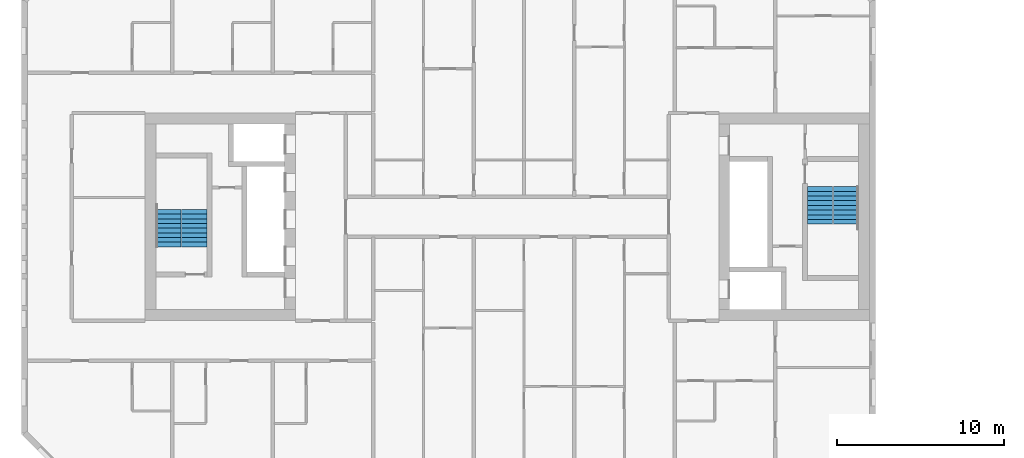
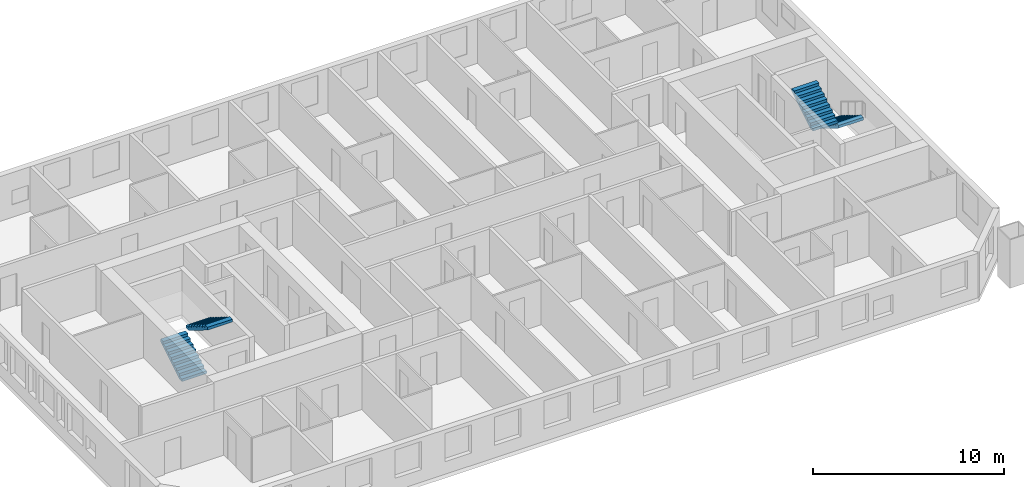
# One storey, part 16 of 17: 4 stair flights, 2 elements without a shape of their own.
"""IFC4 building model written with IfcOpenShell, lengths in metres."""

from ifc_helpers import new_model, si_unit, direction, frame, origin, place, context, subcontext, project, spatial, faceted_brep, material, type_object, element, aggregate, save


model = new_model("IFC4")

# Units and contexts
model_context = context("Model", 3, precision=1e-05, world=origin(), true_north=direction((0.0, 1.0)))
body_context = subcontext(model_context, "Body", "Model", "MODEL_VIEW")
ifc_project = project(units=[si_unit("LENGTHUNIT", "METRE"), si_unit("AREAUNIT", "SQUARE_METRE"), si_unit("VOLUMEUNIT", "CUBIC_METRE"), si_unit("PLANEANGLEUNIT", "RADIAN"), si_unit("MASSUNIT", "GRAM", prefix="KILO")], contexts=[model_context])

# Site, building, storey
site_placement = place(None, origin())
site = spatial("IfcSite", under=ifc_project, at=site_placement, CompositionType="ELEMENT")
building_placement = place(site_placement, origin())
building = spatial("IfcBuilding", under=site, at=building_placement, Name="Tuart Gate Housing", CompositionType="ELEMENT")
storey_placement = place(building_placement, frame((0.0, 0.0, 99.5)))
storey = spatial("IfcBuildingStorey", under=building, at=storey_placement, Name="L27", CompositionType="ELEMENT", Elevation=99.5)

# Stair, stair flights
ifc_material_1 = material(Name="Concrete C40", Category="concrete")
stair_type = type_object("IfcStairType", Name="Core stair 1500", PredefinedType="HALF_TURN_STAIR", material=ifc_material_1)
stair_1_placement = place(storey_placement, origin())
stair_1 = element("IfcStair", 1, at=stair_1_placement, inside=storey, type_object=stair_type, Name="Stair SA1", PredefinedType="HALF_TURN_STAIR")
ifc_material_2 = material(Name="Concrete C40", Category="concrete")
stair_flight_type = type_object("IfcStairFlightType", Name="Stair flight 1500, 9 risers 172 x 280", PredefinedType="STRAIGHT", material=ifc_material_2)
stair_flight_1_placement = place(storey_placement, frame((74.239990234375, 71.800048828125, 0.0), z_axis=(0.0, 0.0, 1.0), x_axis=(0.0, -1.0, 0.0)))
stair_flight_1 = element("IfcStairFlight", 2, at=stair_flight_1_placement, type_object=stair_flight_type, Name="SA1 flight 1", NumberOfRisers=9, NumberOfTreads=8, PredefinedType="STRAIGHT", RiserHeight=0.172222222, TreadLength=0.28, context=body_context, shape_type="Brep", body=[
    faceted_brep([(0.0, 0.75, 0.0), (0.0, 0.75, 0.172119140625), (0.280029296875, 0.75, 0.172119140625), (0.280029296875, 0.75, 0.344482421875), (0.56005859375, 0.75, 0.344482421875), (0.56005859375, 0.75, 0.5166015625), (0.840087890625, 0.75, 0.5166015625), (0.840087890625, 0.75, 0.68896484375), (1.1201171875, 0.75, 0.68896484375), (1.1201171875, 0.75, 0.861083984375), (1.39990234375, 0.75, 0.861083984375), (1.39990234375, 0.75, 1.033447265625), (1.679931640625, 0.75, 1.033447265625), (1.679931640625, 0.75, 1.20556640625), (1.9599609375, 0.75, 1.20556640625), (1.9599609375, 0.75, 1.377685546875), (2.239990234375, 0.75, 1.377685546875), (2.239990234375, 0.75, 1.201904296875), (0.2861328125, 0.75, 0.0), (0.2861328125, -0.75, 0.0), (2.239990234375, -0.75, 1.201904296875), (2.239990234375, -0.75, 1.377685546875), (1.9599609375, -0.75, 1.377685546875), (1.9599609375, -0.75, 1.20556640625), (1.679931640625, -0.75, 1.20556640625), (1.679931640625, -0.75, 1.033447265625), (1.39990234375, -0.75, 1.033447265625), (1.39990234375, -0.75, 0.861083984375), (1.1201171875, -0.75, 0.861083984375), (1.1201171875, -0.75, 0.68896484375), (0.840087890625, -0.75, 0.68896484375), (0.840087890625, -0.75, 0.5166015625), (0.56005859375, -0.75, 0.5166015625), (0.56005859375, -0.75, 0.344482421875), (0.280029296875, -0.75, 0.344482421875), (0.280029296875, -0.75, 0.172119140625), (0.0, -0.75, 0.172119140625), (0.0, -0.75, 0.0), (2.239990234375, 0.0, 1.201904296875), (0.2861328125, 0.0, 0.0), (2.239990234375, 0.0, 1.377685546875), (1.9599609375, 0.0, 1.377685546875), (1.9599609375, 0.0, 1.20556640625), (1.679931640625, 0.0, 1.20556640625), (1.679931640625, 0.0, 1.033447265625), (1.39990234375, 0.0, 1.033447265625), (1.39990234375, 0.0, 0.861083984375), (1.1201171875, 0.0, 0.861083984375), (1.1201171875, 0.0, 0.68896484375), (0.840087890625, 0.0, 0.68896484375), (0.840087890625, 0.0, 0.5166015625), (0.56005859375, 0.0, 0.5166015625), (0.56005859375, 0.0, 0.344482421875), (0.280029296875, 0.0, 0.344482421875), (0.280029296875, 0.0, 0.172119140625), (0.0, 0.0, 0.172119140625), (0.0, 0.0, 0.0)], [[[0, 1, 2, 3, 4, 5, 6, 7, 8, 9, 10, 11, 12, 13, 14, 15, 16, 17, 18]], [[19, 20, 21, 22, 23, 24, 25, 26, 27, 28, 29, 30, 31, 32, 33, 34, 35, 36, 37]], [[18, 17, 38, 39]], [[39, 38, 20, 19]], [[17, 16, 40, 38]], [[38, 40, 21, 20]], [[16, 15, 41, 40]], [[40, 41, 22, 21]], [[15, 14, 42, 41]], [[41, 42, 23, 22]], [[14, 13, 43, 42]], [[42, 43, 24, 23]], [[13, 12, 44, 43]], [[43, 44, 25, 24]], [[12, 11, 45, 44]], [[44, 45, 26, 25]], [[11, 10, 46, 45]], [[45, 46, 27, 26]], [[10, 9, 47, 46]], [[46, 47, 28, 27]], [[9, 8, 48, 47]], [[47, 48, 29, 28]], [[8, 7, 49, 48]], [[48, 49, 30, 29]], [[7, 6, 50, 49]], [[49, 50, 31, 30]], [[6, 5, 51, 50]], [[50, 51, 32, 31]], [[5, 4, 52, 51]], [[51, 52, 33, 32]], [[4, 3, 53, 52]], [[52, 53, 34, 33]], [[3, 2, 54, 53]], [[53, 54, 35, 34]], [[2, 1, 55, 54]], [[54, 55, 36, 35]], [[1, 0, 56, 55]], [[55, 56, 37, 36]], [[0, 18, 39, 56]], [[56, 39, 19, 37]]]),
])
stair_flight_2_placement = place(storey_placement, frame((72.68994140625, 69.56005859375, 1.550048828125), z_axis=(0.0, 0.0, 1.0), x_axis=(0.0, 1.0, 0.0)))
stair_flight_2 = element("IfcStairFlight", 3, at=stair_flight_2_placement, type_object=stair_flight_type, Name="SA1 flight 2", NumberOfRisers=9, NumberOfTreads=8, PredefinedType="STRAIGHT", RiserHeight=0.172222222, TreadLength=0.28, context=body_context, shape_type="Brep", body=[
    faceted_brep([(0.0, 0.75, 0.0), (0.0, 0.75, 0.172119140625), (0.280029296875, 0.75, 0.172119140625), (0.280029296875, 0.75, 0.344482421875), (0.56005859375, 0.75, 0.344482421875), (0.56005859375, 0.75, 0.5166015625), (0.840087890625, 0.75, 0.5166015625), (0.840087890625, 0.75, 0.68896484375), (1.1201171875, 0.75, 0.68896484375), (1.1201171875, 0.75, 0.861083984375), (1.39990234375, 0.75, 0.861083984375), (1.39990234375, 0.75, 1.033447265625), (1.679931640625, 0.75, 1.033447265625), (1.679931640625, 0.75, 1.20556640625), (1.9599609375, 0.75, 1.20556640625), (1.9599609375, 0.75, 1.377685546875), (2.239990234375, 0.75, 1.377685546875), (2.239990234375, 0.75, 1.201904296875), (0.2861328125, 0.75, 0.0), (0.2861328125, -0.75, 0.0), (2.239990234375, -0.75, 1.201904296875), (2.239990234375, -0.75, 1.377685546875), (1.9599609375, -0.75, 1.377685546875), (1.9599609375, -0.75, 1.20556640625), (1.679931640625, -0.75, 1.20556640625), (1.679931640625, -0.75, 1.033447265625), (1.39990234375, -0.75, 1.033447265625), (1.39990234375, -0.75, 0.861083984375), (1.1201171875, -0.75, 0.861083984375), (1.1201171875, -0.75, 0.68896484375), (0.840087890625, -0.75, 0.68896484375), (0.840087890625, -0.75, 0.5166015625), (0.56005859375, -0.75, 0.5166015625), (0.56005859375, -0.75, 0.344482421875), (0.280029296875, -0.75, 0.344482421875), (0.280029296875, -0.75, 0.172119140625), (0.0, -0.75, 0.172119140625), (0.0, -0.75, 0.0), (2.239990234375, 0.0, 1.201904296875), (0.2861328125, 0.0, 0.0), (2.239990234375, 0.0, 1.377685546875), (1.9599609375, 0.0, 1.377685546875), (1.9599609375, 0.0, 1.20556640625), (1.679931640625, 0.0, 1.20556640625), (1.679931640625, 0.0, 1.033447265625), (1.39990234375, 0.0, 1.033447265625), (1.39990234375, 0.0, 0.861083984375), (1.1201171875, 0.0, 0.861083984375), (1.1201171875, 0.0, 0.68896484375), (0.840087890625, 0.0, 0.68896484375), (0.840087890625, 0.0, 0.5166015625), (0.56005859375, 0.0, 0.5166015625), (0.56005859375, 0.0, 0.344482421875), (0.280029296875, 0.0, 0.344482421875), (0.280029296875, 0.0, 0.172119140625), (0.0, 0.0, 0.172119140625), (0.0, 0.0, 0.0)], [[[0, 1, 2, 3, 4, 5, 6, 7, 8, 9, 10, 11, 12, 13, 14, 15, 16, 17, 18]], [[19, 20, 21, 22, 23, 24, 25, 26, 27, 28, 29, 30, 31, 32, 33, 34, 35, 36, 37]], [[18, 17, 38, 39]], [[39, 38, 20, 19]], [[17, 16, 40, 38]], [[38, 40, 21, 20]], [[16, 15, 41, 40]], [[40, 41, 22, 21]], [[15, 14, 42, 41]], [[41, 42, 23, 22]], [[14, 13, 43, 42]], [[42, 43, 24, 23]], [[13, 12, 44, 43]], [[43, 44, 25, 24]], [[12, 11, 45, 44]], [[44, 45, 26, 25]], [[11, 10, 46, 45]], [[45, 46, 27, 26]], [[10, 9, 47, 46]], [[46, 47, 28, 27]], [[9, 8, 48, 47]], [[47, 48, 29, 28]], [[8, 7, 49, 48]], [[48, 49, 30, 29]], [[7, 6, 50, 49]], [[49, 50, 31, 30]], [[6, 5, 51, 50]], [[50, 51, 32, 31]], [[5, 4, 52, 51]], [[51, 52, 33, 32]], [[4, 3, 53, 52]], [[52, 53, 34, 33]], [[3, 2, 54, 53]], [[53, 54, 35, 34]], [[2, 1, 55, 54]], [[54, 55, 36, 35]], [[1, 0, 56, 55]], [[55, 56, 37, 36]], [[0, 18, 39, 56]], [[56, 39, 19, 37]]]),
])
aggregate(stair_1, [stair_flight_1, stair_flight_2])

stair_2_placement = place(storey_placement, origin())
stair_2 = element("IfcStair", 4, at=stair_2_placement, inside=storey, type_object=stair_type, Name="Stair SA2", PredefinedType="HALF_TURN_STAIR")
stair_flight_3_placement = place(storey_placement, frame((33.760009765625, 68.199951171875, 0.0), z_axis=(0.0, 0.0, 1.0), x_axis=(0.0, 1.0, 0.0)))
stair_flight_3 = element("IfcStairFlight", 5, at=stair_flight_3_placement, type_object=stair_flight_type, Name="SA2 flight 1", NumberOfRisers=9, NumberOfTreads=8, PredefinedType="STRAIGHT", RiserHeight=0.172222222, TreadLength=0.28, context=body_context, shape_type="Brep", body=[
    faceted_brep([(0.0, 0.75, 0.0), (0.0, 0.75, 0.172119140625), (0.280029296875, 0.75, 0.172119140625), (0.280029296875, 0.75, 0.344482421875), (0.56005859375, 0.75, 0.344482421875), (0.56005859375, 0.75, 0.5166015625), (0.840087890625, 0.75, 0.5166015625), (0.840087890625, 0.75, 0.68896484375), (1.1201171875, 0.75, 0.68896484375), (1.1201171875, 0.75, 0.861083984375), (1.39990234375, 0.75, 0.861083984375), (1.39990234375, 0.75, 1.033447265625), (1.679931640625, 0.75, 1.033447265625), (1.679931640625, 0.75, 1.20556640625), (1.9599609375, 0.75, 1.20556640625), (1.9599609375, 0.75, 1.377685546875), (2.239990234375, 0.75, 1.377685546875), (2.239990234375, 0.75, 1.201904296875), (0.2861328125, 0.75, 0.0), (0.2861328125, -0.75, 0.0), (2.239990234375, -0.75, 1.201904296875), (2.239990234375, -0.75, 1.377685546875), (1.9599609375, -0.75, 1.377685546875), (1.9599609375, -0.75, 1.20556640625), (1.679931640625, -0.75, 1.20556640625), (1.679931640625, -0.75, 1.033447265625), (1.39990234375, -0.75, 1.033447265625), (1.39990234375, -0.75, 0.861083984375), (1.1201171875, -0.75, 0.861083984375), (1.1201171875, -0.75, 0.68896484375), (0.840087890625, -0.75, 0.68896484375), (0.840087890625, -0.75, 0.5166015625), (0.56005859375, -0.75, 0.5166015625), (0.56005859375, -0.75, 0.344482421875), (0.280029296875, -0.75, 0.344482421875), (0.280029296875, -0.75, 0.172119140625), (0.0, -0.75, 0.172119140625), (0.0, -0.75, 0.0), (2.239990234375, 0.0, 1.201904296875), (0.2861328125, 0.0, 0.0), (2.239990234375, 0.0, 1.377685546875), (1.9599609375, 0.0, 1.377685546875), (1.9599609375, 0.0, 1.20556640625), (1.679931640625, 0.0, 1.20556640625), (1.679931640625, 0.0, 1.033447265625), (1.39990234375, 0.0, 1.033447265625), (1.39990234375, 0.0, 0.861083984375), (1.1201171875, 0.0, 0.861083984375), (1.1201171875, 0.0, 0.68896484375), (0.840087890625, 0.0, 0.68896484375), (0.840087890625, 0.0, 0.5166015625), (0.56005859375, 0.0, 0.5166015625), (0.56005859375, 0.0, 0.344482421875), (0.280029296875, 0.0, 0.344482421875), (0.280029296875, 0.0, 0.172119140625), (0.0, 0.0, 0.172119140625), (0.0, 0.0, 0.0)], [[[0, 1, 2, 3, 4, 5, 6, 7, 8, 9, 10, 11, 12, 13, 14, 15, 16, 17, 18]], [[19, 20, 21, 22, 23, 24, 25, 26, 27, 28, 29, 30, 31, 32, 33, 34, 35, 36, 37]], [[18, 17, 38, 39]], [[39, 38, 20, 19]], [[17, 16, 40, 38]], [[38, 40, 21, 20]], [[16, 15, 41, 40]], [[40, 41, 22, 21]], [[15, 14, 42, 41]], [[41, 42, 23, 22]], [[14, 13, 43, 42]], [[42, 43, 24, 23]], [[13, 12, 44, 43]], [[43, 44, 25, 24]], [[12, 11, 45, 44]], [[44, 45, 26, 25]], [[11, 10, 46, 45]], [[45, 46, 27, 26]], [[10, 9, 47, 46]], [[46, 47, 28, 27]], [[9, 8, 48, 47]], [[47, 48, 29, 28]], [[8, 7, 49, 48]], [[48, 49, 30, 29]], [[7, 6, 50, 49]], [[49, 50, 31, 30]], [[6, 5, 51, 50]], [[50, 51, 32, 31]], [[5, 4, 52, 51]], [[51, 52, 33, 32]], [[4, 3, 53, 52]], [[52, 53, 34, 33]], [[3, 2, 54, 53]], [[53, 54, 35, 34]], [[2, 1, 55, 54]], [[54, 55, 36, 35]], [[1, 0, 56, 55]], [[55, 56, 37, 36]], [[0, 18, 39, 56]], [[56, 39, 19, 37]]]),
])
stair_flight_4_placement = place(storey_placement, frame((35.31005859375, 70.43994140625, 1.550048828125), z_axis=(0.0, 0.0, 1.0), x_axis=(0.0, -1.0, 0.0)))
stair_flight_4 = element("IfcStairFlight", 6, at=stair_flight_4_placement, type_object=stair_flight_type, Name="SA2 flight 2", NumberOfRisers=9, NumberOfTreads=8, PredefinedType="STRAIGHT", RiserHeight=0.172222222, TreadLength=0.28, context=body_context, shape_type="Brep", body=[
    faceted_brep([(0.0, 0.75, 0.0), (0.0, 0.75, 0.172119140625), (0.280029296875, 0.75, 0.172119140625), (0.280029296875, 0.75, 0.344482421875), (0.56005859375, 0.75, 0.344482421875), (0.56005859375, 0.75, 0.5166015625), (0.840087890625, 0.75, 0.5166015625), (0.840087890625, 0.75, 0.68896484375), (1.1201171875, 0.75, 0.68896484375), (1.1201171875, 0.75, 0.861083984375), (1.39990234375, 0.75, 0.861083984375), (1.39990234375, 0.75, 1.033447265625), (1.679931640625, 0.75, 1.033447265625), (1.679931640625, 0.75, 1.20556640625), (1.9599609375, 0.75, 1.20556640625), (1.9599609375, 0.75, 1.377685546875), (2.239990234375, 0.75, 1.377685546875), (2.239990234375, 0.75, 1.201904296875), (0.2861328125, 0.75, 0.0), (0.2861328125, -0.75, 0.0), (2.239990234375, -0.75, 1.201904296875), (2.239990234375, -0.75, 1.377685546875), (1.9599609375, -0.75, 1.377685546875), (1.9599609375, -0.75, 1.20556640625), (1.679931640625, -0.75, 1.20556640625), (1.679931640625, -0.75, 1.033447265625), (1.39990234375, -0.75, 1.033447265625), (1.39990234375, -0.75, 0.861083984375), (1.1201171875, -0.75, 0.861083984375), (1.1201171875, -0.75, 0.68896484375), (0.840087890625, -0.75, 0.68896484375), (0.840087890625, -0.75, 0.5166015625), (0.56005859375, -0.75, 0.5166015625), (0.56005859375, -0.75, 0.344482421875), (0.280029296875, -0.75, 0.344482421875), (0.280029296875, -0.75, 0.172119140625), (0.0, -0.75, 0.172119140625), (0.0, -0.75, 0.0), (2.239990234375, 0.0, 1.201904296875), (0.2861328125, 0.0, 0.0), (2.239990234375, 0.0, 1.377685546875), (1.9599609375, 0.0, 1.377685546875), (1.9599609375, 0.0, 1.20556640625), (1.679931640625, 0.0, 1.20556640625), (1.679931640625, 0.0, 1.033447265625), (1.39990234375, 0.0, 1.033447265625), (1.39990234375, 0.0, 0.861083984375), (1.1201171875, 0.0, 0.861083984375), (1.1201171875, 0.0, 0.68896484375), (0.840087890625, 0.0, 0.68896484375), (0.840087890625, 0.0, 0.5166015625), (0.56005859375, 0.0, 0.5166015625), (0.56005859375, 0.0, 0.344482421875), (0.280029296875, 0.0, 0.344482421875), (0.280029296875, 0.0, 0.172119140625), (0.0, 0.0, 0.172119140625), (0.0, 0.0, 0.0)], [[[0, 1, 2, 3, 4, 5, 6, 7, 8, 9, 10, 11, 12, 13, 14, 15, 16, 17, 18]], [[19, 20, 21, 22, 23, 24, 25, 26, 27, 28, 29, 30, 31, 32, 33, 34, 35, 36, 37]], [[18, 17, 38, 39]], [[39, 38, 20, 19]], [[17, 16, 40, 38]], [[38, 40, 21, 20]], [[16, 15, 41, 40]], [[40, 41, 22, 21]], [[15, 14, 42, 41]], [[41, 42, 23, 22]], [[14, 13, 43, 42]], [[42, 43, 24, 23]], [[13, 12, 44, 43]], [[43, 44, 25, 24]], [[12, 11, 45, 44]], [[44, 45, 26, 25]], [[11, 10, 46, 45]], [[45, 46, 27, 26]], [[10, 9, 47, 46]], [[46, 47, 28, 27]], [[9, 8, 48, 47]], [[47, 48, 29, 28]], [[8, 7, 49, 48]], [[48, 49, 30, 29]], [[7, 6, 50, 49]], [[49, 50, 31, 30]], [[6, 5, 51, 50]], [[50, 51, 32, 31]], [[5, 4, 52, 51]], [[51, 52, 33, 32]], [[4, 3, 53, 52]], [[52, 53, 34, 33]], [[3, 2, 54, 53]], [[53, 54, 35, 34]], [[2, 1, 55, 54]], [[54, 55, 36, 35]], [[1, 0, 56, 55]], [[55, 56, 37, 36]], [[0, 18, 39, 56]], [[56, 39, 19, 37]]]),
])
aggregate(stair_2, [stair_flight_3, stair_flight_4])

save(model, "model.ifc")
